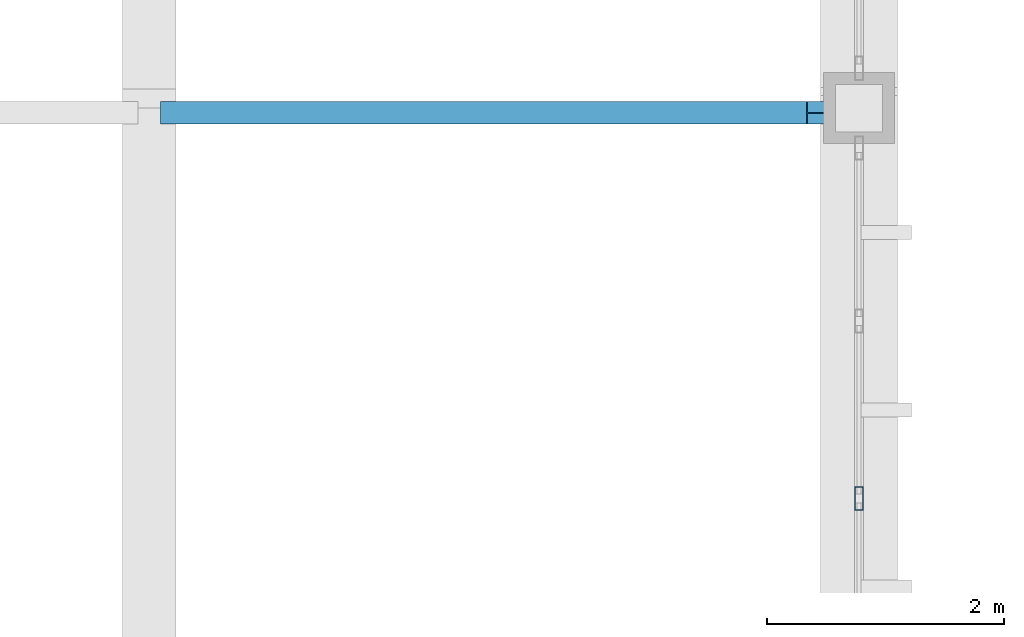
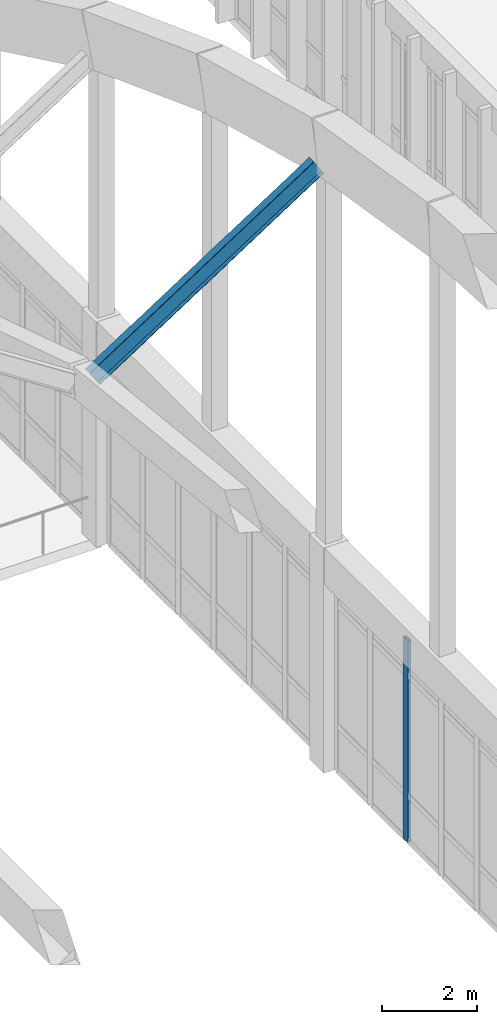
# One storey, part 151 of 236: 1 beam, 1 member, 1 element without a shape of its own.
"""IFC4 building model written with IfcOpenShell, lengths in metres."""

import ifcopenshell
import ifcopenshell.guid

model = None  # the IFC model being written
_history = None  # IfcOwnerHistory: only IFC2X3 demands one
_inside = {}  # id of a spatial element -> (the spatial element, [elements in it])
_under = {}  # id of a project, library or spatial element -> (it, [spatial elements below it])
_declared = {}  # id of a project -> (the project, [libraries it declares])
_typed = {}  # id of a type object -> (the type object, [elements of that type])
_made_of = {}  # id of a material, layer set ... -> (it, [elements and type objects made of it])


def new_model(schema):
    """Start an empty IFC model of exactly this schema.

    Asked for "IFC4X3", IfcOpenShell would pick the latest addendum, in which some entities
    have other attributes; the version numbers below select the first issue.
    IFC2X3 requires an IfcOwnerHistory on every rooted entity: one is made here for all.
    """
    global model, _history
    if schema == "IFC4X3":
        model = ifcopenshell.file(schema_version=(4, 3, 0, 0))
    else:
        model = ifcopenshell.file(schema=schema)
    _inside.clear()
    _under.clear()
    _declared.clear()
    _typed.clear()
    _made_of.clear()
    _history = None
    if model.schema == "IFC2X3":
        org = make("IfcOrganization", Name="unknown")
        user = make(
            "IfcPersonAndOrganization",
            ThePerson=make("IfcPerson", FamilyName="unknown"),
            TheOrganization=org,
        )
        app = make(
            "IfcApplication",
            ApplicationDeveloper=org,
            Version="unknown",
            ApplicationFullName="unknown",
            ApplicationIdentifier="unknown",
        )
        _history = make(
            "IfcOwnerHistory",
            OwningUser=user,
            OwningApplication=app,
            ChangeAction="ADDED",
            CreationDate=0,
        )
    return model


def make(cls, **values):
    """One entity of the class cls with the attributes given. An attribute that is None is left unset."""
    return model.create_entity(
        cls, **{name: value for name, value in values.items() if value is not None}
    )


def rooted(cls, **values):
    """An entity with a GlobalId (a new one), such as an element, a storey or a relation."""
    return make(cls, GlobalId=ifcopenshell.guid.new(), OwnerHistory=_history, **values)


def si_unit(unit_type, name, prefix=None):
    """IfcSIUnit, for example si_unit("LENGTHUNIT", "METRE", prefix="MILLI")."""
    return make("IfcSIUnit", UnitType=unit_type, Prefix=prefix, Name=name)


def assignment(units):
    """IfcUnitAssignment: the units of a project."""
    return None if units is None else make("IfcUnitAssignment", Units=units)


def point(xyz):
    """IfcCartesianPoint."""
    return None if xyz is None else make("IfcCartesianPoint", Coordinates=xyz)


def direction(xyz):
    """IfcDirection."""
    return None if xyz is None else make("IfcDirection", DirectionRatios=xyz)


def frame(location, z_axis=None, x_axis=None):
    """IfcAxis2Placement3D, a coordinate frame: its origin and axes. An axis left out is left unset."""
    return make(
        "IfcAxis2Placement3D",
        Location=point(location),
        Axis=direction(z_axis),
        RefDirection=direction(x_axis),
    )


def frame_2d(location, x_axis=None):
    """IfcAxis2Placement2D, a coordinate frame in the plane: its origin and x axis."""
    return make(
        "IfcAxis2Placement2D", Location=point(location), RefDirection=direction(x_axis)
    )


def origin():
    """The frame at (0, 0, 0) with its axes left unset."""
    return frame((0.0, 0.0, 0.0))


def origin_2d():
    """The frame at (0, 0) in the plane with its x axis left unset."""
    return frame_2d((0.0, 0.0))


def place(relative_to, where):
    """IfcLocalPlacement: puts the frame where relative to a parent placement (None: the world)."""
    return make(
        "IfcLocalPlacement", PlacementRelTo=relative_to, RelativePlacement=where
    )


def context(
    kind, dimensions, precision=None, world=None, true_north=None, identifier=None
):
    """IfcGeometricRepresentationContext, for example the 3D "Model" context."""
    return make(
        "IfcGeometricRepresentationContext",
        ContextIdentifier=identifier,
        ContextType=kind,
        CoordinateSpaceDimension=dimensions,
        Precision=precision,
        WorldCoordinateSystem=world,
        TrueNorth=true_north,
    )


def subcontext(parent, identifier, kind, view, scale=None):
    """IfcGeometricRepresentationSubContext, for example "Body" below "Model"."""
    return make(
        "IfcGeometricRepresentationSubContext",
        ContextIdentifier=identifier,
        ContextType=kind,
        ParentContext=parent,
        TargetScale=scale,
        TargetView=view,
    )


def project(units=None, contexts=None):
    """IfcProject with its units and contexts."""
    return rooted(
        "IfcProject",
        Name="project",
        RepresentationContexts=contexts,
        UnitsInContext=assignment(units),
    )


def spatial(cls, under=None, at=None, **own):
    """A site, building, storey or space (cls), placed at a placement, below another one or the project."""
    s = rooted(cls, ObjectPlacement=at, **own)
    if under is not None:
        _under.setdefault(under.id(), (under, []))[1].append(s)
    return s


def profile(cls, at=None, kind="AREA", **sizes):
    """A parametric profile (cls). Its sizes go by their IFC names, for example OverallWidth=200.0."""
    return make(cls, ProfileType=kind, Position=at, **sizes)


def hollow_rectangle(**sizes):
    """IfcRectangleHollowProfileDef."""
    return profile("IfcRectangleHollowProfileDef", **sizes)


def i_section(**sizes):
    """IfcIShapeProfileDef."""
    return profile("IfcIShapeProfileDef", **sizes)


def extrude(swept, where, along, depth):
    """IfcExtrudedAreaSolid: the profile swept, set in the frame where, extruded along a direction by depth."""
    return make(
        "IfcExtrudedAreaSolid",
        SweptArea=swept,
        Position=where,
        ExtrudedDirection=direction(along),
        Depth=depth,
    )


def shape(context_of_items, identifier, shape_type, items):
    """IfcShapeRepresentation: the items that make up one representation, for example the "Body"."""
    return make(
        "IfcShapeRepresentation",
        ContextOfItems=context_of_items,
        RepresentationIdentifier=identifier,
        RepresentationType=shape_type,
        Items=items,
    )


def material(Name=None, Category=None):
    """IfcMaterial."""
    return make("IfcMaterial", Name=Name, Category=Category)


def layer(
    of_material, thickness, ventilated=None, Name=None, Category=None, Priority=None
):
    """IfcMaterialLayer: one layer of a wall or slab, of a material (None: an air gap)."""
    return make(
        "IfcMaterialLayer",
        Material=of_material,
        LayerThickness=thickness,
        IsVentilated=ventilated,
        Name=Name,
        Category=Category,
        Priority=Priority,
    )


def layer_set(layers, Name=None):
    """IfcMaterialLayerSet."""
    return make("IfcMaterialLayerSet", MaterialLayers=layers, LayerSetName=Name)


def material_profile(
    of_material, cross_section, Name=None, Category=None, Priority=None
):
    """IfcMaterialProfile: a cross section and its material."""
    return make(
        "IfcMaterialProfile",
        Name=Name,
        Material=of_material,
        Profile=cross_section,
        Priority=Priority,
        Category=Category,
    )


def profile_set(profiles, Name=None, composite=None):
    """IfcMaterialProfileSet."""
    return make(
        "IfcMaterialProfileSet",
        Name=Name,
        MaterialProfiles=profiles,
        CompositeProfile=composite,
    )


def made_of(thing, what):
    """Note that an element or type object is made of a material, layer set ...; save() writes the relation."""
    if what is not None:
        _made_of.setdefault(what.id(), (what, []))[1].append(thing)
    return thing


def type_object(cls, material=None, **own):
    """A type object (cls), such as IfcWallType, which elements share."""
    return made_of(rooted(cls, **own), material)


def element(
    cls,
    number,
    at=None,
    inside=None,
    cuts=None,
    type_object=None,
    material=None,
    context=None,
    identifier="Body",
    shape_type=None,
    held_by="IfcProductDefinitionShape",
    body=None,
    shapes=None,
    **own,
):
    """One element of the class cls, such as IfcWall. Its Tag is "e" and its number.

    at: its placement. inside: the storey or other place that contains it. cuts: it is an
    opening in that element (IfcRelVoidsElement). A single representation is given by context,
    identifier, shape_type and body (its items); several are given by shapes. held_by: the class
    of the entity that holds the representations. save() writes the other relations.
    """
    e = rooted(cls, Tag="e%d" % number, ObjectPlacement=at, **own)
    if body is not None:
        shapes = [shape(context, identifier, shape_type, body)]
    if shapes is not None:
        e.Representation = make(held_by, Representations=shapes)
    if inside is not None:
        _inside.setdefault(inside.id(), (inside, []))[1].append(e)
    if cuts is not None:
        rooted(
            "IfcRelVoidsElement", RelatingBuildingElement=cuts, RelatedOpeningElement=e
        )
    if type_object is not None:
        _typed.setdefault(type_object.id(), (type_object, []))[1].append(e)
    return made_of(e, material)


def aggregate(whole, parts):
    """IfcRelAggregates: a whole, such as a stair, and the parts it consists of."""
    return rooted("IfcRelAggregates", RelatingObject=whole, RelatedObjects=parts)


def save(model, path):
    """Write the relations noted so far, then the file.

    IfcRelAggregates (storeys below a building ...), IfcRelContainedInSpatialStructure (elements
    in a storey), IfcRelDefinesByType, IfcRelAssociatesMaterial and IfcRelDeclares: one each for
    every whole, place, type object, material and project.
    """
    for whole, parts in _under.values():
        aggregate(whole, parts)
    for where, things in _inside.values():
        rooted(
            "IfcRelContainedInSpatialStructure",
            RelatedElements=things,
            RelatingStructure=where,
        )
    for kind, things in _typed.values():
        rooted("IfcRelDefinesByType", RelatedObjects=things, RelatingType=kind)
    for what, things in _made_of.values():
        rooted("IfcRelAssociatesMaterial", RelatedObjects=things, RelatingMaterial=what)
    for by, libraries in _declared.values():
        rooted("IfcRelDeclares", RelatingContext=by, RelatedDefinitions=libraries)
    model.write(path)


model = new_model("IFC4")

# Units and contexts
model_context = context("Model", 3, precision=1e-05, world=origin(), true_north=direction((0.0, 1.0)))
body_context = subcontext(model_context, "Body", "Model", "MODEL_VIEW")
ifc_project = project(units=[si_unit("LENGTHUNIT", "METRE"), si_unit("AREAUNIT", "SQUARE_METRE"), si_unit("VOLUMEUNIT", "CUBIC_METRE"), si_unit("PLANEANGLEUNIT", "RADIAN"), si_unit("MASSUNIT", "GRAM", prefix="KILO")], contexts=[model_context])

# Site, building, storey
site_placement = place(None, origin())
site = spatial("IfcSite", under=ifc_project, at=site_placement, CompositionType="ELEMENT")
building_placement = place(site_placement, origin())
building = spatial("IfcBuilding", under=site, at=building_placement, Name="Pandanus Reach Market Hall", CompositionType="ELEMENT")
storey_placement = place(building_placement, frame((0.0, 0.0, 5.39990234375)))
storey = spatial("IfcBuildingStorey", under=building, at=storey_placement, Name="L01", CompositionType="ELEMENT", Elevation=5.39990234375)

# Beam
ifc_material_1 = material(Name="Steel Grade 350 (350 MPa)", Category="steel")
ifc_material_profile_1 = material_profile(ifc_material_1, i_section(OverallWidth=0.18994140625, OverallDepth=0.45703125, WebThickness=0.009033203125, FlangeThickness=0.014404296875, at=origin_2d()), Name="460UB74.6", Category="LoadBearing")
ifc_profile_set_1 = profile_set([ifc_material_profile_1], Name="Steel Grade 350 (350 MPa)")
beam_type = type_object("IfcBeamType", Name="BM-UB460-I", PredefinedType="BEAM", material=ifc_profile_set_1)
beam_placement = place(storey_placement, frame((126.219970703125, 67.159912109375, 11.976318359375), z_axis=(0.839070527962, 0.0, 0.544022654956), x_axis=(0.0, 1.0, 0.0)))
element("IfcBeam", 1, at=beam_placement, inside=storey, type_object=beam_type, Name="Butterfly transverse rib B7.5R", PredefinedType="BEAM", context=body_context, shape_type="SweptSolid", body=[
    extrude(i_section(OverallWidth=0.18994140625, OverallDepth=0.45703125, WebThickness=0.009033203125, FlangeThickness=0.014404296875, at=origin_2d()), origin(), (0.0, 0.0, 1.0), 6.507080078125),
])

# Curtain wall, member
ifc_material_2 = material(Name="Bronze anodised aluminium and low-E glass", Category="aluminium")
ifc_layer = layer(ifc_material_2, 0.199951171875, Name="CW-05")
ifc_layer_set = layer_set([ifc_layer], Name="Bronze anodised aluminium and low-E glass")
curtain_wall_type = type_object("IfcCurtainWallType", Name="CW-05", PredefinedType="NOTDEFINED", material=ifc_layer_set)
curtain_wall_placement = place(storey_placement, origin())
curtain_wall = element("IfcCurtainWall", 2, at=curtain_wall_placement, inside=storey, type_object=curtain_wall_type, Name="Glazed curtain wall CW-05 CW-0031", PredefinedType="NOTDEFINED")
ifc_material_3 = material(Name="Bronze anodised aluminium", Category="aluminium")
ifc_material_profile_2 = material_profile(ifc_material_3, hollow_rectangle(XDim=0.074951171875, YDim=0.199951171875, WallThickness=0.00439453125, at=origin_2d()), Name="ALU75x200", Category="LoadBearing")
ifc_profile_set_2 = profile_set([ifc_material_profile_2], Name="Bronze anodised aluminium")
member_type = type_object("IfcMemberType", Name="CW-M2", PredefinedType="MULLION", material=ifc_profile_set_2)
member_placement = place(storey_placement, frame((132.0, 63.89990234375, 0.0), z_axis=(0.0, 0.0, 1.0), x_axis=(-1.0, 0.0, 0.0)))
member = element("IfcMember", 3, at=member_placement, type_object=member_type, Name="CW-05 mullion 5", PredefinedType="MULLION", context=body_context, shape_type="SweptSolid", body=[
    extrude(hollow_rectangle(XDim=0.074951171875, YDim=0.199951171875, WallThickness=0.00439453125, at=origin_2d()), origin(), (0.0, 0.0, 1.0), 5.2001953125),
])
aggregate(curtain_wall, [member])

save(model, "model.ifc")
